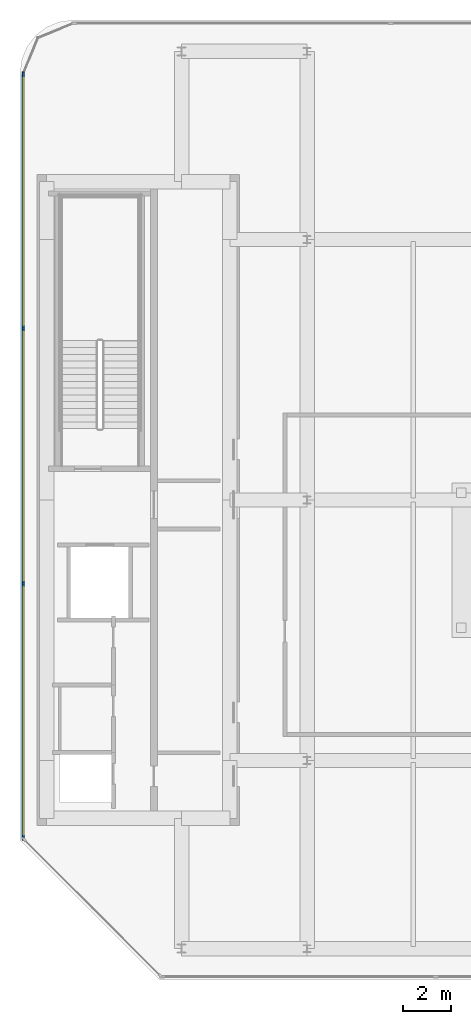
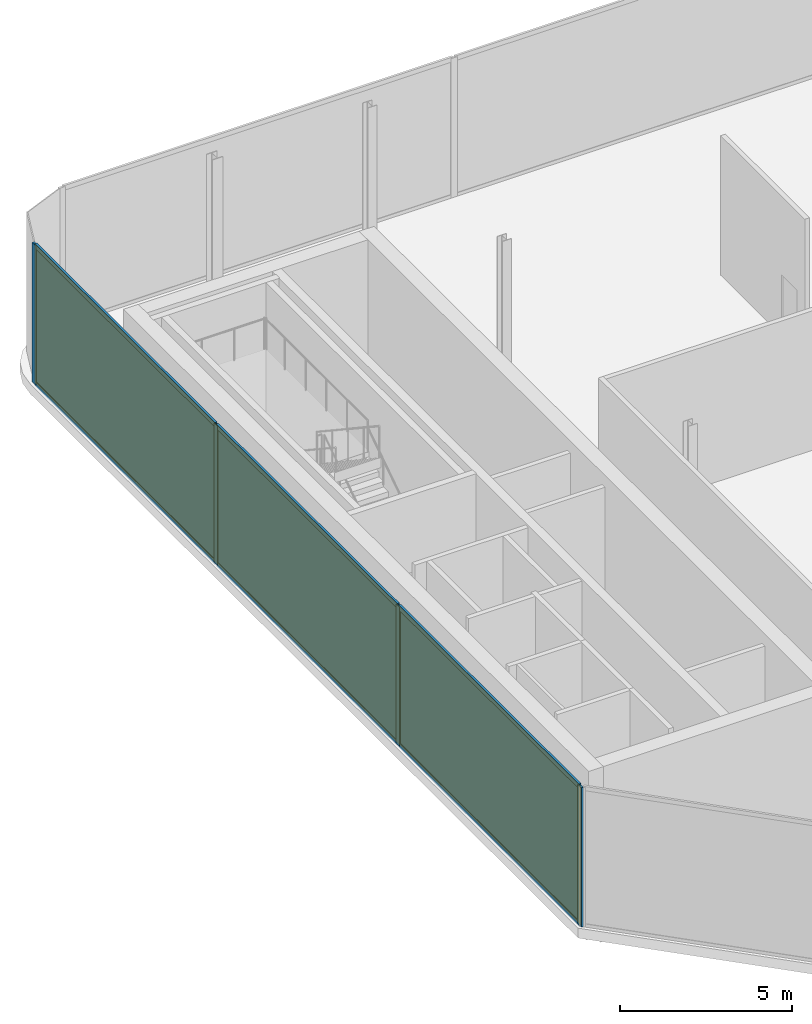
# One storey, part 8 of 14: 10 members, 3 plates, 1 curtain wall.
"""IFC4 building model written with IfcOpenShell, lengths in metres."""

from ifc_helpers import new_model, si_unit, direction, frame, frame_2d, origin, origin_2d, place, context, subcontext, project, spatial, rectangle, extrude, material, layer, layer_set, material_profile, profile_set, type_object, element, aggregate, save


model = new_model("IFC4")

# Units and contexts
model_context = context("Model", 3, precision=1e-05, world=origin(), true_north=direction((0.0, 1.0)))
body_context = subcontext(model_context, "Body", "Model", "MODEL_VIEW")
ifc_project = project(units=[si_unit("LENGTHUNIT", "METRE"), si_unit("AREAUNIT", "SQUARE_METRE"), si_unit("VOLUMEUNIT", "CUBIC_METRE"), si_unit("PLANEANGLEUNIT", "RADIAN"), si_unit("MASSUNIT", "GRAM", prefix="KILO")], contexts=[model_context])

# Member
ifc_material_1 = material(Name="Anodised Bronze Aluminium 6063-T6", Category="aluminium")
ifc_material_profile_1 = material_profile(ifc_material_1, rectangle(XDim=0.074951171875, YDim=0.2099609375, at=origin_2d()))
ifc_profile_set_1 = profile_set([ifc_material_profile_1], Name="Anodised Bronze Aluminium 6063-T6")
member_type_1 = type_object("IfcMemberType", Name="CW-CRN Mullion 75x210", PredefinedType="MULLION", material=ifc_profile_set_1)
site_placement = place(None, origin())
building_placement = place(site_placement, origin())
storey_placement = place(building_placement, frame((0.0, 0.0, 325.199951171875)))
member_1_placement = place(storey_placement, frame((-20.9599609375, -14.00439453125, 0.0), z_axis=(0.0, 0.0, 1.0), x_axis=(-1.0, 0.0, 0.0)))
member_1 = element("IfcMember", 1, at=member_1_placement, type_object=member_type_1, Name="CW-CRN mullion 1", PredefinedType="MULLION", context=body_context, shape_type="SweptSolid", body=[
    extrude(rectangle(XDim=0.074951171875, YDim=0.2099609375, at=origin_2d()), origin(), (0.0, 0.0, 1.0), 4.93994140625),
])

member_2_placement = place(storey_placement, frame((-20.9599609375, -3.46435546875, 0.0), z_axis=(0.0, 0.0, 1.0), x_axis=(-1.0, 0.0, 0.0)))
member_2 = element("IfcMember", 2, at=member_2_placement, type_object=member_type_1, Name="CW-CRN mullion 2", PredefinedType="MULLION", context=body_context, shape_type="SweptSolid", body=[
    extrude(rectangle(XDim=0.074951171875, YDim=0.2099609375, at=origin_2d()), origin(), (0.0, 0.0, 1.0), 4.93994140625),
])

member_3_placement = place(storey_placement, frame((-20.9599609375, 7.11328125, 0.0), z_axis=(0.0, 0.0, 1.0), x_axis=(-1.0, 0.0, 0.0)))
member_3 = element("IfcMember", 3, at=member_3_placement, type_object=member_type_1, Name="CW-CRN mullion 3", PredefinedType="MULLION", context=body_context, shape_type="SweptSolid", body=[
    extrude(rectangle(XDim=0.074951171875, YDim=0.2099609375, at=origin_2d()), origin(), (0.0, 0.0, 1.0), 4.93994140625),
])

member_4_placement = place(storey_placement, frame((-20.9599609375, 17.6533203125, 0.0), z_axis=(0.0, 0.0, 1.0), x_axis=(-1.0, 0.0, 0.0)))
member_4 = element("IfcMember", 4, at=member_4_placement, type_object=member_type_1, Name="CW-CRN mullion 4", PredefinedType="MULLION", context=body_context, shape_type="SweptSolid", body=[
    extrude(rectangle(XDim=0.074951171875, YDim=0.2099609375, at=origin_2d()), origin(), (0.0, 0.0, 1.0), 4.93994140625),
])

ifc_material_2 = material(Name="Anodised Bronze Aluminium 6063-T6", Category="aluminium")
ifc_material_profile_2 = material_profile(ifc_material_2, rectangle(XDim=0.074951171875, YDim=0.1650390625, at=origin_2d()))
ifc_profile_set_2 = profile_set([ifc_material_profile_2], Name="Anodised Bronze Aluminium 6063-T6")
member_type_2 = type_object("IfcMemberType", Name="CW-CRN Transom 75x165", PredefinedType="USERDEFINED", material=ifc_profile_set_2)
member_5_placement = place(storey_placement, frame((-20.9599609375, -13.967041015625, 0.03759765625), z_axis=(0.0, 1.0, 0.0), x_axis=(-1.0, 0.0, 0.0)))
member_5 = element("IfcMember", 5, at=member_5_placement, type_object=member_type_2, Name="CW-CRN transom 1.1", ObjectType="TRANSOM", PredefinedType="USERDEFINED", context=body_context, shape_type="SweptSolid", body=[
    extrude(rectangle(XDim=0.074951171875, YDim=0.1650390625, at=origin_2d()), origin(), (0.0, 0.0, 1.0), 10.465087890625),
])

member_6_placement = place(storey_placement, frame((-20.9599609375, -13.967041015625, 4.902587890625), z_axis=(0.0, 1.0, 0.0), x_axis=(-1.0, 0.0, 0.0)))
member_6 = element("IfcMember", 6, at=member_6_placement, type_object=member_type_2, Name="CW-CRN transom 1.2", ObjectType="TRANSOM", PredefinedType="USERDEFINED", context=body_context, shape_type="SweptSolid", body=[
    extrude(rectangle(XDim=0.074951171875, YDim=0.1650390625, at=origin_2d()), origin(), (0.0, 0.0, 1.0), 10.465087890625),
])

member_7_placement = place(storey_placement, frame((-20.9599609375, -3.427001953125, 0.03759765625), z_axis=(0.0, 1.0, 0.0), x_axis=(-1.0, 0.0, 0.0)))
member_7 = element("IfcMember", 7, at=member_7_placement, type_object=member_type_2, Name="CW-CRN transom 2.1", ObjectType="TRANSOM", PredefinedType="USERDEFINED", context=body_context, shape_type="SweptSolid", body=[
    extrude(rectangle(XDim=0.074951171875, YDim=0.1650390625, at=origin_2d()), origin(), (0.0, 0.0, 1.0), 10.502685546875),
])

member_8_placement = place(storey_placement, frame((-20.9599609375, -3.427001953125, 4.902587890625), z_axis=(0.0, 1.0, 0.0), x_axis=(-1.0, 0.0, 0.0)))
member_8 = element("IfcMember", 8, at=member_8_placement, type_object=member_type_2, Name="CW-CRN transom 2.2", ObjectType="TRANSOM", PredefinedType="USERDEFINED", context=body_context, shape_type="SweptSolid", body=[
    extrude(rectangle(XDim=0.074951171875, YDim=0.1650390625, at=origin_2d()), origin(), (0.0, 0.0, 1.0), 10.502685546875),
])

member_9_placement = place(storey_placement, frame((-20.9599609375, 7.150634765625, 0.03759765625), z_axis=(0.0, 1.0, 0.0), x_axis=(-1.0, 0.0, 0.0)))
member_9 = element("IfcMember", 9, at=member_9_placement, type_object=member_type_2, Name="CW-CRN transom 3.1", ObjectType="TRANSOM", PredefinedType="USERDEFINED", context=body_context, shape_type="SweptSolid", body=[
    extrude(rectangle(XDim=0.074951171875, YDim=0.1650390625, at=origin_2d()), origin(), (0.0, 0.0, 1.0), 10.465087890625),
])

member_10_placement = place(storey_placement, frame((-20.9599609375, 7.150634765625, 4.902587890625), z_axis=(0.0, 1.0, 0.0), x_axis=(-1.0, 0.0, 0.0)))
member_10 = element("IfcMember", 10, at=member_10_placement, type_object=member_type_2, Name="CW-CRN transom 3.2", ObjectType="TRANSOM", PredefinedType="USERDEFINED", context=body_context, shape_type="SweptSolid", body=[
    extrude(rectangle(XDim=0.074951171875, YDim=0.1650390625, at=origin_2d()), origin(), (0.0, 0.0, 1.0), 10.465087890625),
])

# Plate
ifc_material_3 = material(Name="Low-E Solar Control Laminated Glass", Category="glass")
ifc_layer_1 = layer(ifc_material_3, 0.035888671875, Name="Low-E Solar Control Laminated Glass")
ifc_layer_set_1 = layer_set([ifc_layer_1], Name="Low-E Solar Control Laminated Glass")
plate_type = type_object("IfcPlateType", Name="CW-CRN Low-E Double Glazed Panel 36mm", PredefinedType="CURTAIN_PANEL", material=ifc_layer_set_1)
plate_1_placement = place(storey_placement, frame((-20.9599609375, -8.734375, 0.074951171875), z_axis=(0.0, 0.0, 1.0), x_axis=(0.0, 1.0, 0.0)))
plate_1 = element("IfcPlate", 11, at=plate_1_placement, type_object=plate_type, Name="CW-CRN panel 1.1", PredefinedType="CURTAIN_PANEL", context=body_context, shape_type="SweptSolid", body=[
    extrude(rectangle(XDim=10.465087890625, YDim=0.035888671875, at=origin_2d()), origin(), (0.0, 0.0, 1.0), 4.7900390625),
])

plate_2_placement = place(storey_placement, frame((-20.9599609375, 1.824462890625, 0.074951171875), z_axis=(0.0, 0.0, 1.0), x_axis=(0.0, 1.0, 0.0)))
plate_2 = element("IfcPlate", 12, at=plate_2_placement, type_object=plate_type, Name="CW-CRN panel 2.1", PredefinedType="CURTAIN_PANEL", context=body_context, shape_type="SweptSolid", body=[
    extrude(rectangle(XDim=10.502685546875, YDim=0.035888671875, at=origin_2d()), origin(), (0.0, 0.0, 1.0), 4.7900390625),
])

plate_3_placement = place(storey_placement, frame((-20.9599609375, 12.38330078125, 0.074951171875), z_axis=(0.0, 0.0, 1.0), x_axis=(0.0, 1.0, 0.0)))
plate_3 = element("IfcPlate", 13, at=plate_3_placement, type_object=plate_type, Name="CW-CRN panel 3.1", PredefinedType="CURTAIN_PANEL", context=body_context, shape_type="SweptSolid", body=[
    extrude(rectangle(XDim=10.465087890625, YDim=0.035888671875, at=origin_2d()), origin(), (0.0, 0.0, 1.0), 4.7900390625),
])

# Site, building, storey
site = spatial("IfcSite", under=ifc_project, at=site_placement, CompositionType="ELEMENT")
building = spatial("IfcBuilding", under=site, at=building_placement, Name="Khairoan Windgate Tower", CompositionType="ELEMENT")
storey = spatial("IfcBuildingStorey", under=building, at=storey_placement, Name="L78", CompositionType="ELEMENT", Elevation=325.199951171875)

# Curtain wall
ifc_material_4 = material(Name="Anodised Bronze Aluminium 6063-T6", Category="aluminium")
ifc_layer_2 = layer(ifc_material_4, 0.2099609375, Name="Anodised Bronze Aluminium 6063-T6")
ifc_layer_set_2 = layer_set([ifc_layer_2], Name="Anodised Bronze Aluminium 6063-T6")
curtain_wall_type = type_object("IfcCurtainWallType", Name="Crown Observation and Vitrine Curtain Wall CW-CRN", PredefinedType="NOTDEFINED", material=ifc_layer_set_2)
curtain_wall_placement = place(storey_placement, frame((-20.9599609375, -14.0419921875, 0.0), z_axis=(0.0, 0.0, 1.0), x_axis=(0.0, 1.0, 0.0)))
curtain_wall = element("IfcCurtainWall", 14, at=curtain_wall_placement, inside=storey, type_object=curtain_wall_type, Name="L78 Unitised Curtain Wall 3", PredefinedType="NOTDEFINED", context=body_context, shape_type="SweptSolid", body=[
    extrude(rectangle(XDim=31.73291015625, YDim=0.010009765625, at=frame_2d((15.866455078125, 0.0))), origin(), (0.0, 0.0, 1.0), 4.93994140625),
])

aggregate(curtain_wall, [member_1, member_2, member_3, member_4, member_5, member_6, plate_1, member_7, member_8, plate_2, member_9, member_10, plate_3])

save(model, "model.ifc")
